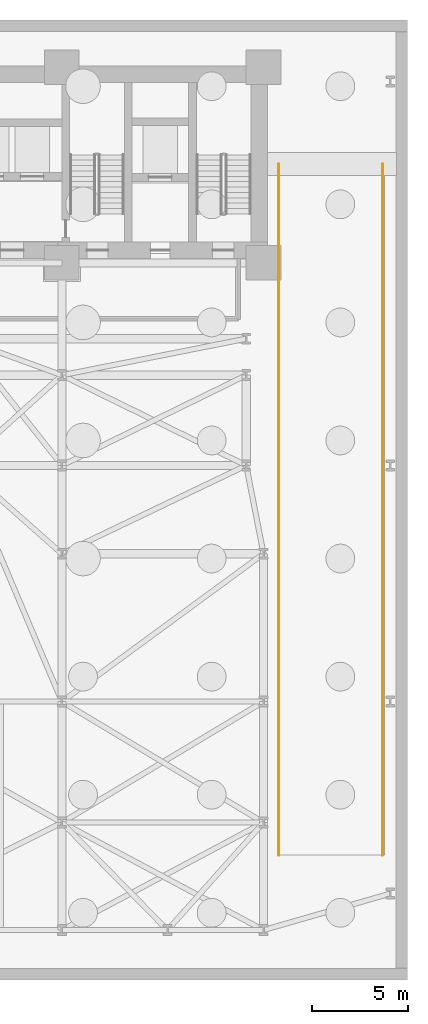
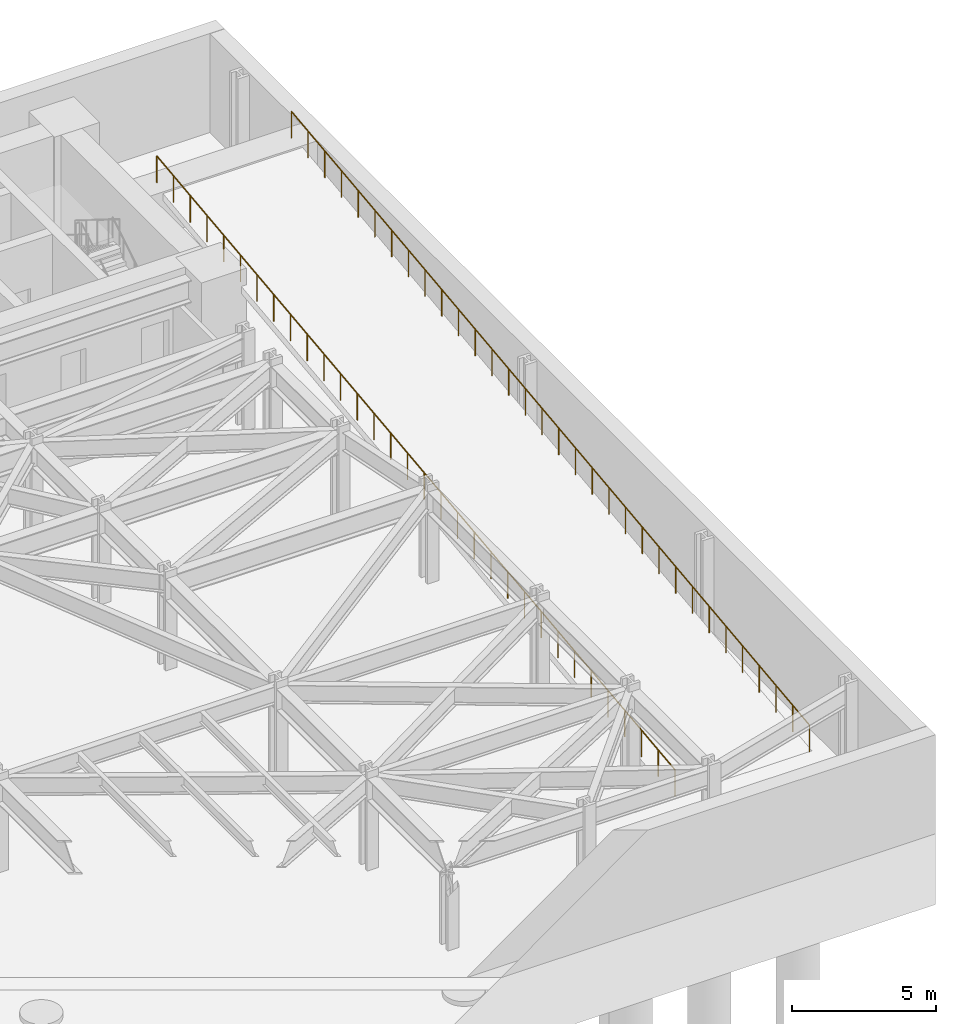
# One storey, part 10 of 12: 2 railings.
"""IFC4 building model written with IfcOpenShell, lengths in metres."""

from ifc_helpers import new_model, si_unit, direction, frame, origin, origin_2d, place, context, subcontext, project, spatial, circle, extrude, material, layer, layer_set, type_object, element, save


model = new_model("IFC4")

# Units and contexts
model_context = context("Model", 3, precision=1e-05, world=origin(), true_north=direction((0.0, 1.0)))
body_context = subcontext(model_context, "Body", "Model", "MODEL_VIEW")
ifc_project = project(units=[si_unit("LENGTHUNIT", "METRE"), si_unit("AREAUNIT", "SQUARE_METRE"), si_unit("VOLUMEUNIT", "CUBIC_METRE"), si_unit("PLANEANGLEUNIT", "RADIAN"), si_unit("MASSUNIT", "GRAM", prefix="KILO")], contexts=[model_context])

# Site, building, storey
site_placement = place(None, origin())
site = spatial("IfcSite", under=ifc_project, at=site_placement, CompositionType="ELEMENT")
building_placement = place(site_placement, origin())
building = spatial("IfcBuilding", under=site, at=building_placement, Name="Kravanh Interchange Tower", CompositionType="ELEMENT")
storey_placement = place(building_placement, frame((0.0, 0.0, -8.39990234375)))
storey = spatial("IfcBuildingStorey", under=building, at=storey_placement, Name="B2", CompositionType="ELEMENT", Elevation=-8.39990234375)

# Railings
ifc_material = material(Name="Structural Steel S355", Category="steel")
ifc_layer = layer(ifc_material, 0.070068359375)
ifc_layer_set = layer_set([ifc_layer], Name="Wind Storey Perimeter Safety Guardrail Structural Steel S355 1150mm")
railing_type = type_object("IfcRailingType", Name="Wind Storey Perimeter Safety Guardrail Structural Steel S355 1150mm", PredefinedType="GUARDRAIL", material=ifc_layer_set)
railing_1_placement = place(storey_placement, frame((67.300048828125, 6.5, 0.0)))
element("IfcRailing", 1, at=railing_1_placement, inside=storey, type_object=railing_type, Name="Vehicle Ramp R1 Sloped Guardrail W", PredefinedType="GUARDRAIL", context=body_context, shape_type="SweptSolid", body=[
    extrude(circle(Radius=0.02392578125, at=origin_2d()), frame((0.0, 0.0, 1.1259765625), z_axis=(0.0, 0.993263294149, 0.115879370451), x_axis=(-1.0, 0.0, 0.0)), (0.0, 0.0, 1.0), 36.244140625),
    extrude(circle(Radius=0.02099609375, at=origin_2d()), origin(), (0.0, 0.0, 1.0), 1.101806640625),
    extrude(circle(Radius=0.02099609375, at=origin_2d()), frame((0.0, 1.161376953125, 0.135498046875)), (0.0, 0.0, 1.0), 1.101806640625),
    extrude(circle(Radius=0.02099609375, at=origin_2d()), frame((0.0, 2.322509765625, 0.27099609375)), (0.0, 0.0, 1.0), 1.101806640625),
    extrude(circle(Radius=0.02099609375, at=origin_2d()), frame((0.0, 3.48388671875, 0.406494140625)), (0.0, 0.0, 1.0), 1.101806640625),
    extrude(circle(Radius=0.02099609375, at=origin_2d()), frame((0.0, 4.645263671875, 0.5419921875)), (0.0, 0.0, 1.0), 1.101806640625),
    extrude(circle(Radius=0.02099609375, at=origin_2d()), frame((0.0, 5.806396484375, 0.677490234375)), (0.0, 0.0, 1.0), 1.101806640625),
    extrude(circle(Radius=0.02099609375, at=origin_2d()), frame((0.0, 6.9677734375, 0.81298828125)), (0.0, 0.0, 1.0), 1.101806640625),
    extrude(circle(Radius=0.02099609375, at=origin_2d()), frame((0.0, 8.129150390625, 0.948486328125)), (0.0, 0.0, 1.0), 1.101806640625),
    extrude(circle(Radius=0.02099609375, at=origin_2d()), frame((0.0, 9.290283203125, 1.083740234375)), (0.0, 0.0, 1.0), 1.101806640625),
    extrude(circle(Radius=0.02099609375, at=origin_2d()), frame((0.0, 10.45166015625, 1.21923828125)), (0.0, 0.0, 1.0), 1.101806640625),
    extrude(circle(Radius=0.02099609375, at=origin_2d()), frame((0.0, 11.61279296875, 1.354736328125)), (0.0, 0.0, 1.0), 1.101806640625),
    extrude(circle(Radius=0.02099609375, at=origin_2d()), frame((0.0, 12.774169921875, 1.490234375)), (0.0, 0.0, 1.0), 1.101806640625),
    extrude(circle(Radius=0.02099609375, at=origin_2d()), frame((0.0, 13.935546875, 1.625732421875)), (0.0, 0.0, 1.0), 1.101806640625),
    extrude(circle(Radius=0.02099609375, at=origin_2d()), frame((0.0, 15.0966796875, 1.76123046875)), (0.0, 0.0, 1.0), 1.101806640625),
    extrude(circle(Radius=0.02099609375, at=origin_2d()), frame((0.0, 16.258056640625, 1.896728515625)), (0.0, 0.0, 1.0), 1.101806640625),
    extrude(circle(Radius=0.02099609375, at=origin_2d()), frame((0.0, 17.41943359375, 2.0322265625)), (0.0, 0.0, 1.0), 1.101806640625),
    extrude(circle(Radius=0.02099609375, at=origin_2d()), frame((0.0, 18.58056640625, 2.167724609375)), (0.0, 0.0, 1.0), 1.101806640625),
    extrude(circle(Radius=0.02099609375, at=origin_2d()), frame((0.0, 19.741943359375, 2.30322265625)), (0.0, 0.0, 1.0), 1.101806640625),
    extrude(circle(Radius=0.02099609375, at=origin_2d()), frame((0.0, 20.9033203125, 2.438720703125)), (0.0, 0.0, 1.0), 1.101806640625),
    extrude(circle(Radius=0.02099609375, at=origin_2d()), frame((0.0, 22.064453125, 2.57421875)), (0.0, 0.0, 1.0), 1.101806640625),
    extrude(circle(Radius=0.02099609375, at=origin_2d()), frame((0.0, 23.225830078125, 2.709716796875)), (0.0, 0.0, 1.0), 1.101806640625),
    extrude(circle(Radius=0.02099609375, at=origin_2d()), frame((0.0, 24.38720703125, 2.84521484375)), (0.0, 0.0, 1.0), 1.101806640625),
    extrude(circle(Radius=0.02099609375, at=origin_2d()), frame((0.0, 25.54833984375, 2.980712890625)), (0.0, 0.0, 1.0), 1.101806640625),
    extrude(circle(Radius=0.02099609375, at=origin_2d()), frame((0.0, 26.709716796875, 3.1162109375)), (0.0, 0.0, 1.0), 1.101806640625),
    extrude(circle(Radius=0.02099609375, at=origin_2d()), frame((0.0, 27.870849609375, 3.25146484375)), (0.0, 0.0, 1.0), 1.101806640625),
    extrude(circle(Radius=0.02099609375, at=origin_2d()), frame((0.0, 29.0322265625, 3.386962890625)), (0.0, 0.0, 1.0), 1.101806640625),
    extrude(circle(Radius=0.02099609375, at=origin_2d()), frame((0.0, 30.193603515625, 3.5224609375)), (0.0, 0.0, 1.0), 1.101806640625),
    extrude(circle(Radius=0.02099609375, at=origin_2d()), frame((0.0, 31.354736328125, 3.657958984375)), (0.0, 0.0, 1.0), 1.101806640625),
    extrude(circle(Radius=0.02099609375, at=origin_2d()), frame((0.0, 32.51611328125, 3.79345703125)), (0.0, 0.0, 1.0), 1.101806640625),
    extrude(circle(Radius=0.02099609375, at=origin_2d()), frame((0.0, 33.677490234375, 3.928955078125)), (0.0, 0.0, 1.0), 1.101806640625),
    extrude(circle(Radius=0.02099609375, at=origin_2d()), frame((0.0, 34.838623046875, 4.064453125)), (0.0, 0.0, 1.0), 1.101806640625),
    extrude(circle(Radius=0.02099609375, at=origin_2d()), frame((0.0, 36.0, 4.199951171875)), (0.0, 0.0, 1.0), 1.101806640625),
])
railing_2_placement = place(storey_placement, frame((72.699951171875, 6.5, 0.0)))
element("IfcRailing", 2, at=railing_2_placement, inside=storey, type_object=railing_type, Name="Vehicle Ramp R1 Sloped Guardrail E", PredefinedType="GUARDRAIL", context=body_context, shape_type="SweptSolid", body=[
    extrude(circle(Radius=0.02392578125, at=origin_2d()), frame((0.0, 0.0, 1.1259765625), z_axis=(0.0, 0.993263294149, 0.115879370451), x_axis=(-1.0, 0.0, 0.0)), (0.0, 0.0, 1.0), 36.244140625),
    extrude(circle(Radius=0.02099609375, at=origin_2d()), origin(), (0.0, 0.0, 1.0), 1.101806640625),
    extrude(circle(Radius=0.02099609375, at=origin_2d()), frame((0.0, 1.161376953125, 0.135498046875)), (0.0, 0.0, 1.0), 1.101806640625),
    extrude(circle(Radius=0.02099609375, at=origin_2d()), frame((0.0, 2.322509765625, 0.27099609375)), (0.0, 0.0, 1.0), 1.101806640625),
    extrude(circle(Radius=0.02099609375, at=origin_2d()), frame((0.0, 3.48388671875, 0.406494140625)), (0.0, 0.0, 1.0), 1.101806640625),
    extrude(circle(Radius=0.02099609375, at=origin_2d()), frame((0.0, 4.645263671875, 0.5419921875)), (0.0, 0.0, 1.0), 1.101806640625),
    extrude(circle(Radius=0.02099609375, at=origin_2d()), frame((0.0, 5.806396484375, 0.677490234375)), (0.0, 0.0, 1.0), 1.101806640625),
    extrude(circle(Radius=0.02099609375, at=origin_2d()), frame((0.0, 6.9677734375, 0.81298828125)), (0.0, 0.0, 1.0), 1.101806640625),
    extrude(circle(Radius=0.02099609375, at=origin_2d()), frame((0.0, 8.129150390625, 0.948486328125)), (0.0, 0.0, 1.0), 1.101806640625),
    extrude(circle(Radius=0.02099609375, at=origin_2d()), frame((0.0, 9.290283203125, 1.083740234375)), (0.0, 0.0, 1.0), 1.101806640625),
    extrude(circle(Radius=0.02099609375, at=origin_2d()), frame((0.0, 10.45166015625, 1.21923828125)), (0.0, 0.0, 1.0), 1.101806640625),
    extrude(circle(Radius=0.02099609375, at=origin_2d()), frame((0.0, 11.61279296875, 1.354736328125)), (0.0, 0.0, 1.0), 1.101806640625),
    extrude(circle(Radius=0.02099609375, at=origin_2d()), frame((0.0, 12.774169921875, 1.490234375)), (0.0, 0.0, 1.0), 1.101806640625),
    extrude(circle(Radius=0.02099609375, at=origin_2d()), frame((0.0, 13.935546875, 1.625732421875)), (0.0, 0.0, 1.0), 1.101806640625),
    extrude(circle(Radius=0.02099609375, at=origin_2d()), frame((0.0, 15.0966796875, 1.76123046875)), (0.0, 0.0, 1.0), 1.101806640625),
    extrude(circle(Radius=0.02099609375, at=origin_2d()), frame((0.0, 16.258056640625, 1.896728515625)), (0.0, 0.0, 1.0), 1.101806640625),
    extrude(circle(Radius=0.02099609375, at=origin_2d()), frame((0.0, 17.41943359375, 2.0322265625)), (0.0, 0.0, 1.0), 1.101806640625),
    extrude(circle(Radius=0.02099609375, at=origin_2d()), frame((0.0, 18.58056640625, 2.167724609375)), (0.0, 0.0, 1.0), 1.101806640625),
    extrude(circle(Radius=0.02099609375, at=origin_2d()), frame((0.0, 19.741943359375, 2.30322265625)), (0.0, 0.0, 1.0), 1.101806640625),
    extrude(circle(Radius=0.02099609375, at=origin_2d()), frame((0.0, 20.9033203125, 2.438720703125)), (0.0, 0.0, 1.0), 1.101806640625),
    extrude(circle(Radius=0.02099609375, at=origin_2d()), frame((0.0, 22.064453125, 2.57421875)), (0.0, 0.0, 1.0), 1.101806640625),
    extrude(circle(Radius=0.02099609375, at=origin_2d()), frame((0.0, 23.225830078125, 2.709716796875)), (0.0, 0.0, 1.0), 1.101806640625),
    extrude(circle(Radius=0.02099609375, at=origin_2d()), frame((0.0, 24.38720703125, 2.84521484375)), (0.0, 0.0, 1.0), 1.101806640625),
    extrude(circle(Radius=0.02099609375, at=origin_2d()), frame((0.0, 25.54833984375, 2.980712890625)), (0.0, 0.0, 1.0), 1.101806640625),
    extrude(circle(Radius=0.02099609375, at=origin_2d()), frame((0.0, 26.709716796875, 3.1162109375)), (0.0, 0.0, 1.0), 1.101806640625),
    extrude(circle(Radius=0.02099609375, at=origin_2d()), frame((0.0, 27.870849609375, 3.25146484375)), (0.0, 0.0, 1.0), 1.101806640625),
    extrude(circle(Radius=0.02099609375, at=origin_2d()), frame((0.0, 29.0322265625, 3.386962890625)), (0.0, 0.0, 1.0), 1.101806640625),
    extrude(circle(Radius=0.02099609375, at=origin_2d()), frame((0.0, 30.193603515625, 3.5224609375)), (0.0, 0.0, 1.0), 1.101806640625),
    extrude(circle(Radius=0.02099609375, at=origin_2d()), frame((0.0, 31.354736328125, 3.657958984375)), (0.0, 0.0, 1.0), 1.101806640625),
    extrude(circle(Radius=0.02099609375, at=origin_2d()), frame((0.0, 32.51611328125, 3.79345703125)), (0.0, 0.0, 1.0), 1.101806640625),
    extrude(circle(Radius=0.02099609375, at=origin_2d()), frame((0.0, 33.677490234375, 3.928955078125)), (0.0, 0.0, 1.0), 1.101806640625),
    extrude(circle(Radius=0.02099609375, at=origin_2d()), frame((0.0, 34.838623046875, 4.064453125)), (0.0, 0.0, 1.0), 1.101806640625),
    extrude(circle(Radius=0.02099609375, at=origin_2d()), frame((0.0, 36.0, 4.199951171875)), (0.0, 0.0, 1.0), 1.101806640625),
])

save(model, "model.ifc")
